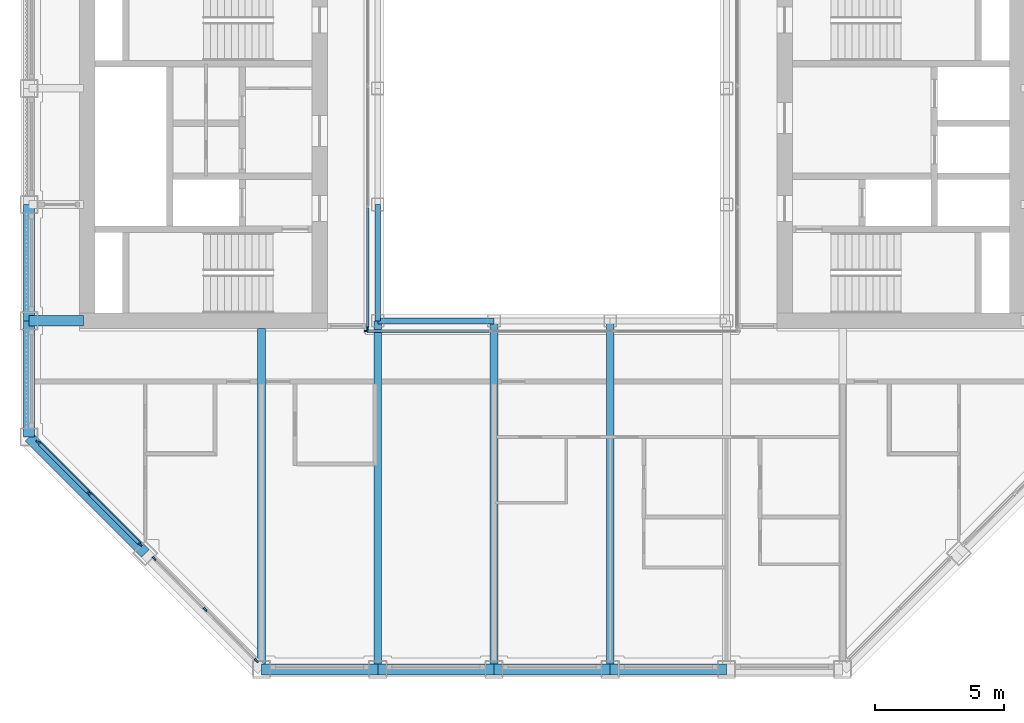
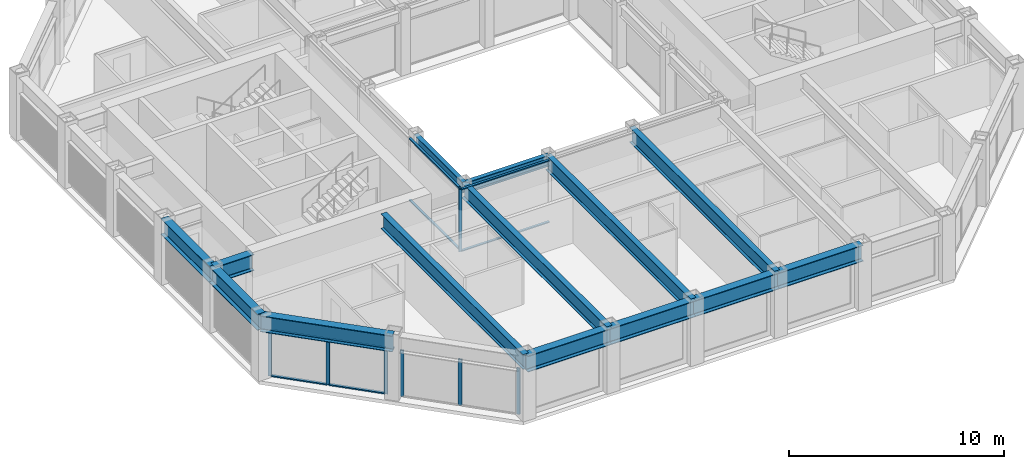
# One storey, part 2 of 17: 16 members, 14 beams, 4 elements without a shape of their own.
"""IFC4 building model written with IfcOpenShell, lengths in metres."""

from ifc_helpers import new_model, si_unit, direction, frame, origin, origin_2d, place, context, subcontext, project, spatial, rectangle, i_section, extrude, material, material_profile, profile_set, type_object, element, aggregate, save


model = new_model("IFC4")

# Units and contexts
model_context = context("Model", 3, precision=1e-05, world=origin(), true_north=direction((0.0, 1.0)))
body_context = subcontext(model_context, "Body", "Model", "MODEL_VIEW")
ifc_project = project(units=[si_unit("LENGTHUNIT", "METRE"), si_unit("AREAUNIT", "SQUARE_METRE"), si_unit("VOLUMEUNIT", "CUBIC_METRE"), si_unit("PLANEANGLEUNIT", "RADIAN"), si_unit("MASSUNIT", "GRAM", prefix="KILO")], contexts=[model_context])

# Site, building, storey
site_placement = place(None, origin())
site = spatial("IfcSite", under=ifc_project, at=site_placement, CompositionType="ELEMENT")
building_placement = place(site_placement, origin())
building = spatial("IfcBuilding", under=site, at=building_placement, Name="Msasa Ring Tower", CompositionType="ELEMENT")
storey_placement = place(building_placement, frame((0.0, 0.0, 234.550048828125)))
storey = spatial("IfcBuildingStorey", under=building, at=storey_placement, Name="L61", CompositionType="ELEMENT", Elevation=234.550048828125)

# Curtain wall, members
ifc_material_1 = material(Name="Aluminium curtain wall with clear glass", Category="aluminium")
curtain_wall_type_1 = type_object("IfcCurtainWallType", Name="CW-C CHAMFER CORNER CURTAIN WALL", PredefinedType="NOTDEFINED", material=ifc_material_1)
curtain_wall_1_placement = place(storey_placement, origin())
curtain_wall_1 = element("IfcCurtainWall", 1, at=curtain_wall_1_placement, inside=storey, type_object=curtain_wall_type_1, Name="Chamfer corner curtain wall SW L61", PredefinedType="NOTDEFINED")
ifc_material_2 = material(Name="Aluminium mullion", Category="aluminium")
ifc_material_profile_1 = material_profile(ifc_material_2, rectangle(XDim=0.06494140625, YDim=0.179931640625, at=origin_2d()), Name="AL 65x180")
ifc_profile_set_1 = profile_set([ifc_material_profile_1], Name="Aluminium mullion")
member_type_1 = type_object("IfcMemberType", Name="CW-C MULLION 65x180", PredefinedType="MULLION", material=ifc_profile_set_1)
member_1_placement = place(storey_placement, frame((-19.9052734375, -11.453369140625, 0.0), z_axis=(0.0, 0.0, 1.0), x_axis=(0.707106781187, 0.707106781187, 0.0)))
member_1 = element("IfcMember", 2, at=member_1_placement, type_object=member_type_1, Name="CW-C mullion 1", PredefinedType="MULLION", context=body_context, shape_type="SweptSolid", body=[
    extrude(rectangle(XDim=0.06494140625, YDim=0.179931640625, at=origin_2d()), origin(), (0.0, 0.0, 1.0), 2.62890625),
])
member_2_placement = place(storey_placement, frame((-17.92919921875, -13.42919921875, 0.0), z_axis=(0.0, 0.0, 1.0), x_axis=(0.707106781187, 0.707106781187, 0.0)))
member_2 = element("IfcMember", 3, at=member_2_placement, type_object=member_type_1, Name="CW-C mullion 2", PredefinedType="MULLION", context=body_context, shape_type="SweptSolid", body=[
    extrude(rectangle(XDim=0.06494140625, YDim=0.179931640625, at=origin_2d()), origin(), (0.0, 0.0, 1.0), 2.62890625),
])
member_3_placement = place(storey_placement, frame((-15.953369140625, -15.4052734375, 0.0), z_axis=(0.0, 0.0, 1.0), x_axis=(0.707106781187, 0.707106781187, 0.0)))
member_3 = element("IfcMember", 4, at=member_3_placement, type_object=member_type_1, Name="CW-C mullion 3", PredefinedType="MULLION", context=body_context, shape_type="SweptSolid", body=[
    extrude(rectangle(XDim=0.06494140625, YDim=0.179931640625, at=origin_2d()), origin(), (0.0, 0.0, 1.0), 2.62890625),
])

curtain_wall_2_placement = place(storey_placement, origin())
curtain_wall_2 = element("IfcCurtainWall", 5, at=curtain_wall_2_placement, inside=storey, type_object=curtain_wall_type_1, Name="Chamfer corner curtain wall SW L61", PredefinedType="NOTDEFINED")
member_4_placement = place(storey_placement, frame((-15.4052734375, -15.953369140625, 0.0), z_axis=(0.0, 0.0, 1.0), x_axis=(0.707106781187, 0.707106781187, 0.0)))
member_4 = element("IfcMember", 6, at=member_4_placement, type_object=member_type_1, Name="CW-C mullion 1", PredefinedType="MULLION", context=body_context, shape_type="SweptSolid", body=[
    extrude(rectangle(XDim=0.06494140625, YDim=0.179931640625, at=origin_2d()), origin(), (0.0, 0.0, 1.0), 2.62890625),
])
member_5_placement = place(storey_placement, frame((-13.42919921875, -17.92919921875, 0.0), z_axis=(0.0, 0.0, 1.0), x_axis=(0.707106781187, 0.707106781187, 0.0)))
member_5 = element("IfcMember", 7, at=member_5_placement, type_object=member_type_1, Name="CW-C mullion 2", PredefinedType="MULLION", context=body_context, shape_type="SweptSolid", body=[
    extrude(rectangle(XDim=0.06494140625, YDim=0.179931640625, at=origin_2d()), origin(), (0.0, 0.0, 1.0), 2.62890625),
])
member_6_placement = place(storey_placement, frame((-11.453369140625, -19.9052734375, 0.0), z_axis=(0.0, 0.0, 1.0), x_axis=(0.707106781187, 0.707106781187, 0.0)))
member_6 = element("IfcMember", 8, at=member_6_placement, type_object=member_type_1, Name="CW-C mullion 3", PredefinedType="MULLION", context=body_context, shape_type="SweptSolid", body=[
    extrude(rectangle(XDim=0.06494140625, YDim=0.179931640625, at=origin_2d()), origin(), (0.0, 0.0, 1.0), 2.62890625),
])
aggregate(curtain_wall_2, [member_4, member_5, member_6])

# Member
ifc_material_3 = material(Name="Aluminium transom", Category="aluminium")
ifc_material_profile_2 = material_profile(ifc_material_3, rectangle(XDim=0.139892578125, YDim=0.06494140625, at=origin_2d()), Name="AL 65x140")
ifc_profile_set_2 = profile_set([ifc_material_profile_2], Name="Aluminium transom")
member_type_2 = type_object("IfcMemberType", Name="CW-C TRANSOM 65x140", PredefinedType="USERDEFINED", material=ifc_profile_set_2)
member_7_placement = place(storey_placement, frame((-19.88232421875, -11.476318359375, 0.032470703125), z_axis=(0.707106781187, -0.707106781187, 0.0), x_axis=(0.707106781187, 0.707106781187, 0.0)))
member_7 = element("IfcMember", 9, at=member_7_placement, type_object=member_type_2, Name="CW-C transom 1.1", ObjectType="TRANSOM", PredefinedType="USERDEFINED", context=body_context, shape_type="SweptSolid", body=[
    extrude(rectangle(XDim=0.139892578125, YDim=0.06494140625, at=origin_2d()), origin(), (0.0, 0.0, 1.0), 2.729248046875),
])

member_8_placement = place(storey_placement, frame((-19.88232421875, -11.476318359375, 2.596435546875), z_axis=(0.707106781187, -0.707106781187, 0.0), x_axis=(0.707106781187, 0.707106781187, 0.0)))
member_8 = element("IfcMember", 10, at=member_8_placement, type_object=member_type_2, Name="CW-C transom 1.2", ObjectType="TRANSOM", PredefinedType="USERDEFINED", context=body_context, shape_type="SweptSolid", body=[
    extrude(rectangle(XDim=0.139892578125, YDim=0.06494140625, at=origin_2d()), origin(), (0.0, 0.0, 1.0), 2.729248046875),
])

member_9_placement = place(storey_placement, frame((-17.90625, -13.452392578125, 0.032470703125), z_axis=(0.707106781187, -0.707106781187, 0.0), x_axis=(0.707106781187, 0.707106781187, 0.0)))
member_9 = element("IfcMember", 11, at=member_9_placement, type_object=member_type_2, Name="CW-C transom 2.1", ObjectType="TRANSOM", PredefinedType="USERDEFINED", context=body_context, shape_type="SweptSolid", body=[
    extrude(rectangle(XDim=0.139892578125, YDim=0.06494140625, at=origin_2d()), origin(), (0.0, 0.0, 1.0), 2.729248046875),
])

member_10_placement = place(storey_placement, frame((-17.90625, -13.452392578125, 2.596435546875), z_axis=(0.707106781187, -0.707106781187, 0.0), x_axis=(0.707106781187, 0.707106781187, 0.0)))
member_10 = element("IfcMember", 12, at=member_10_placement, type_object=member_type_2, Name="CW-C transom 2.2", ObjectType="TRANSOM", PredefinedType="USERDEFINED", context=body_context, shape_type="SweptSolid", body=[
    extrude(rectangle(XDim=0.139892578125, YDim=0.06494140625, at=origin_2d()), origin(), (0.0, 0.0, 1.0), 2.729248046875),
])

aggregate(curtain_wall_1, [member_1, member_2, member_3, member_7, member_8, member_9, member_10])

# Curtain wall, member
ifc_material_4 = material(Name="Aluminium curtain wall with clear glass", Category="aluminium")
curtain_wall_type_2 = type_object("IfcCurtainWallType", Name="CW-W LIGHT WELL CURTAIN WALL", PredefinedType="NOTDEFINED", material=ifc_material_4)
curtain_wall_3_placement = place(storey_placement, origin())
curtain_wall_3 = element("IfcCurtainWall", 13, at=curtain_wall_3_placement, inside=storey, type_object=curtain_wall_type_2, Name="Light well curtain wall S L61", PredefinedType="NOTDEFINED")
ifc_material_5 = material(Name="Aluminium mullion", Category="aluminium")
ifc_material_profile_3 = material_profile(ifc_material_5, rectangle(XDim=0.06005859375, YDim=0.159912109375, at=origin_2d()), Name="AL 60x160")
ifc_profile_set_3 = profile_set([ifc_material_profile_3], Name="Aluminium mullion")
member_type_3 = type_object("IfcMemberType", Name="CW-W MULLION 60x160", PredefinedType="MULLION", material=ifc_profile_set_3)
member_11_placement = place(storey_placement, frame((-7.199951171875, -7.14990234375, 0.0), z_axis=(0.0, 0.0, 1.0), x_axis=(0.0, 1.0, 0.0)))
member_11 = element("IfcMember", 14, at=member_11_placement, type_object=member_type_3, Name="CW-W mullion 1", PredefinedType="MULLION", context=body_context, shape_type="SweptSolid", body=[
    extrude(rectangle(XDim=0.06005859375, YDim=0.159912109375, at=origin_2d()), origin(), (0.0, 0.0, 1.0), 3.550048828125),
])

curtain_wall_4_placement = place(storey_placement, origin())
curtain_wall_4 = element("IfcCurtainWall", 15, at=curtain_wall_4_placement, inside=storey, type_object=curtain_wall_type_2, Name="Light well curtain wall W L61", PredefinedType="NOTDEFINED")
member_12_placement = place(storey_placement, frame((-7.14990234375, -7.0400390625, 0.0), z_axis=(0.0, 0.0, 1.0), x_axis=(-1.0, 0.0, 0.0)))
member_12 = element("IfcMember", 16, at=member_12_placement, type_object=member_type_3, Name="CW-W mullion 1", PredefinedType="MULLION", context=body_context, shape_type="SweptSolid", body=[
    extrude(rectangle(XDim=0.06005859375, YDim=0.159912109375, at=origin_2d()), origin(), (0.0, 0.0, 1.0), 3.550048828125),
])

# Member
ifc_material_6 = material(Name="Aluminium transom", Category="aluminium")
ifc_material_profile_4 = material_profile(ifc_material_6, rectangle(XDim=0.1201171875, YDim=0.06005859375, at=origin_2d()), Name="AL 60x120")
ifc_profile_set_4 = profile_set([ifc_material_profile_4], Name="Aluminium transom")
member_type_4 = type_object("IfcMemberType", Name="CW-W TRANSOM 60x120", PredefinedType="USERDEFINED", material=ifc_profile_set_4)
member_13_placement = place(storey_placement, frame((-7.169921875, -7.14990234375, 0.030029296875), z_axis=(1.0, 0.0, 0.0), x_axis=(0.0, 1.0, 0.0)))
member_13 = element("IfcMember", 17, at=member_13_placement, type_object=member_type_4, Name="CW-W transom 1.1", ObjectType="TRANSOM", PredefinedType="USERDEFINED", context=body_context, shape_type="SweptSolid", body=[
    extrude(rectangle(XDim=0.1201171875, YDim=0.06005859375, at=origin_2d()), origin(), (0.0, 0.0, 1.0), 4.72998046875),
])

member_14_placement = place(storey_placement, frame((-7.169921875, -7.14990234375, 3.52001953125), z_axis=(1.0, 0.0, 0.0), x_axis=(0.0, 1.0, 0.0)))
member_14 = element("IfcMember", 18, at=member_14_placement, type_object=member_type_4, Name="CW-W transom 1.2", ObjectType="TRANSOM", PredefinedType="USERDEFINED", context=body_context, shape_type="SweptSolid", body=[
    extrude(rectangle(XDim=0.1201171875, YDim=0.06005859375, at=origin_2d()), origin(), (0.0, 0.0, 1.0), 4.72998046875),
])

aggregate(curtain_wall_3, [member_11, member_13, member_14])

member_15_placement = place(storey_placement, frame((-7.14990234375, -7.010009765625, 0.030029296875), z_axis=(0.0, 1.0, 0.0), x_axis=(-1.0, 0.0, 0.0)))
member_15 = element("IfcMember", 19, at=member_15_placement, type_object=member_type_4, Name="CW-W transom 1.1", ObjectType="TRANSOM", PredefinedType="USERDEFINED", context=body_context, shape_type="SweptSolid", body=[
    extrude(rectangle(XDim=0.1201171875, YDim=0.06005859375, at=origin_2d()), origin(), (0.0, 0.0, 1.0), 4.623291015625),
])

member_16_placement = place(storey_placement, frame((-7.14990234375, -7.010009765625, 3.52001953125), z_axis=(0.0, 1.0, 0.0), x_axis=(-1.0, 0.0, 0.0)))
member_16 = element("IfcMember", 20, at=member_16_placement, type_object=member_type_4, Name="CW-W transom 1.2", ObjectType="TRANSOM", PredefinedType="USERDEFINED", context=body_context, shape_type="SweptSolid", body=[
    extrude(rectangle(XDim=0.1201171875, YDim=0.06005859375, at=origin_2d()), origin(), (0.0, 0.0, 1.0), 4.623291015625),
])

aggregate(curtain_wall_4, [member_12, member_15, member_16])

# Beams
ifc_material_7 = material(Name="Steel S355", Category="steel")
ifc_material_profile_5 = material_profile(ifc_material_7, i_section(OverallWidth=0.293701171875, OverallDepth=0.850830078125, WebThickness=0.01611328125, FlangeThickness=0.02685546875, FilletRadius=0.017822265625, at=origin_2d()), Name="UB 838x292x226")
ifc_profile_set_5 = profile_set([ifc_material_profile_5], Name="Steel S355")
beam_type_1 = type_object("IfcBeamType", Name="FB5 UB 838x292x226", PredefinedType="BEAM", material=ifc_profile_set_5)
beam_1_placement = place(storey_placement, frame((-11.25, -20.25, 3.12451171875), z_axis=(0.0, 1.0, 0.0), x_axis=(-1.0, 0.0, 0.0)))
element("IfcBeam", 21, at=beam_1_placement, inside=storey, type_object=beam_type_1, Name="Floor beam S-11.25 under L62", PredefinedType="BEAM", context=body_context, shape_type="SweptSolid", body=[
    extrude(i_section(OverallWidth=0.293701171875, OverallDepth=0.850830078125, WebThickness=0.01611328125, FlangeThickness=0.02685546875, FilletRadius=0.017822265625, at=origin_2d()), origin(), (0.0, 0.0, 1.0), 13.199951171875),
])
for number, where, z_axis, x_axis, name in (
    (22, (-6.75, -20.25, 3.12451171875), (0.0, 1.0, 0.0), (-1.0, 0.0, 0.0), "Floor beam S-6.75 under L62"),
    (23, (-2.25, -20.25, 3.12451171875), (0.0, 1.0, 0.0), (-1.0, 0.0, 0.0), "Floor beam S-2.25 under L62"),
    (24, (2.25, -20.25, 3.12451171875), (0.0, 1.0, 0.0), (-1.0, 0.0, 0.0), "Floor beam S+2.25 under L62"),
):
    element("IfcBeam", number, at=place(storey_placement, frame(where, z_axis=z_axis, x_axis=x_axis)), inside=storey, type_object=beam_type_1, Name=name, PredefinedType="BEAM", context=body_context, shape_type="SweptSolid", body=[
        extrude(i_section(OverallWidth=0.293701171875, OverallDepth=0.850830078125, WebThickness=0.01611328125, FlangeThickness=0.02685546875, FilletRadius=0.017822265625, at=origin_2d()), origin(), (0.0, 0.0, 1.0), 13.5),
    ])
ifc_material_8 = material(Name="Steel S355", Category="steel")
ifc_material_profile_6 = material_profile(ifc_material_8, i_section(OverallWidth=0.42041015625, OverallDepth=0.9208984375, WebThickness=0.021484375, FlangeThickness=0.03662109375, FilletRadius=0.024169921875, at=origin_2d()), Name="UB 914x419x388")
ifc_profile_set_6 = profile_set([ifc_material_profile_6], Name="Steel S355")
beam_type_2 = type_object("IfcBeamType", Name="GB1 UB 914x419x388", PredefinedType="BEAM", material=ifc_profile_set_6)
beam_2_placement = place(storey_placement, frame((-18.14990234375, -6.75, 3.08935546875), z_axis=(-1.0, 0.0, 0.0), x_axis=(0.0, -1.0, 0.0)))
element("IfcBeam", 25, at=beam_2_placement, inside=storey, type_object=beam_type_2, Name="Girder W -6.75 under L62", PredefinedType="BEAM", context=body_context, shape_type="SweptSolid", body=[
    extrude(i_section(OverallWidth=0.42041015625, OverallDepth=0.9208984375, WebThickness=0.021484375, FlangeThickness=0.03662109375, FilletRadius=0.024169921875, at=origin_2d()), origin(), (0.0, 0.0, 1.0), 2.10009765625),
])
ifc_material_9 = material(Name="Steel S355", Category="steel")
ifc_material_profile_7 = material_profile(ifc_material_9, i_section(OverallWidth=0.230224609375, OverallDepth=0.6171875, WebThickness=0.01318359375, FlangeThickness=0.022216796875, FilletRadius=0.0126953125, at=origin_2d()), Name="UB 610x229x140")
ifc_profile_set_7 = profile_set([ifc_material_profile_7], Name="Steel S355")
beam_type_3 = type_object("IfcBeamType", Name="RB1 UB 610x229x140", PredefinedType="BEAM", material=ifc_profile_set_7)
for number, where, z_axis, x_axis, name in (
    (26, (-6.75, -2.25, 3.241455078125), (0.0, -1.0, 0.0), (1.0, 0.0, 0.0), "Inner ring beam IR-6.75-2.25 under L62"),
    (27, (-6.75, -6.75, 3.241455078125), (1.0, 0.0, 0.0), (0.0, 1.0, 0.0), "Inner ring beam IR-6.75-6.75 under L62"),
):
    element("IfcBeam", number, at=place(storey_placement, frame(where, z_axis=z_axis, x_axis=x_axis)), inside=storey, type_object=beam_type_3, Name=name, PredefinedType="BEAM", context=body_context, shape_type="SweptSolid", body=[
        extrude(i_section(OverallWidth=0.230224609375, OverallDepth=0.6171875, WebThickness=0.01318359375, FlangeThickness=0.022216796875, FilletRadius=0.0126953125, at=origin_2d()), origin(), (0.0, 0.0, 1.0), 4.5),
    ])
ifc_material_10 = material(Name="Steel S355", Category="steel")
ifc_material_profile_8 = material_profile(ifc_material_10, i_section(OverallWidth=0.42041015625, OverallDepth=0.9208984375, WebThickness=0.021484375, FlangeThickness=0.03662109375, FilletRadius=0.024169921875, at=origin_2d()), Name="UB 914x419x388")
ifc_profile_set_8 = profile_set([ifc_material_profile_8], Name="Steel S355")
beam_type_4 = type_object("IfcBeamType", Name="SB1 UB 914x419x388", PredefinedType="SPANDREL", material=ifc_profile_set_8)
for number, where, z_axis, x_axis, name in (
    (28, (-20.25, -2.25, 3.08935546875), (0.0, -1.0, 0.0), (1.0, 0.0, 0.0), "Spandrel W-2.25 to W-6.75 under L62"),
    (29, (-20.25, -6.75, 3.08935546875), (0.0, -1.0, 0.0), (1.0, 0.0, 0.0), "Spandrel W-6.75 to W-11.25 under L62"),
):
    element("IfcBeam", number, at=place(storey_placement, frame(where, z_axis=z_axis, x_axis=x_axis)), inside=storey, type_object=beam_type_4, Name=name, PredefinedType="SPANDREL", context=body_context, shape_type="SweptSolid", body=[
        extrude(i_section(OverallWidth=0.42041015625, OverallDepth=0.9208984375, WebThickness=0.021484375, FlangeThickness=0.03662109375, FilletRadius=0.024169921875, at=origin_2d()), origin(), (0.0, 0.0, 1.0), 4.5),
    ])
beam_3_placement = place(storey_placement, frame((-20.25, -11.25, 3.08935546875), z_axis=(0.707106781187, -0.707106781187, 0.0), x_axis=(0.707106781187, 0.707106781187, 0.0)))
element("IfcBeam", 30, at=beam_3_placement, inside=storey, type_object=beam_type_4, Name="Spandrel W-11.25 to SW under L62", PredefinedType="SPANDREL", context=body_context, shape_type="SweptSolid", body=[
    extrude(i_section(OverallWidth=0.42041015625, OverallDepth=0.9208984375, WebThickness=0.021484375, FlangeThickness=0.03662109375, FilletRadius=0.024169921875, at=origin_2d()), origin(), (0.0, 0.0, 1.0), 6.364013671875),
])
for number, where, z_axis, x_axis, name in (
    (31, (-11.25, -20.25, 3.08935546875), (1.0, 0.0, 0.0), (0.0, 1.0, 0.0), "Spandrel S-11.25 to S-6.75 under L62"),
    (32, (-6.75, -20.25, 3.08935546875), (1.0, 0.0, 0.0), (0.0, 1.0, 0.0), "Spandrel S-6.75 to S-2.25 under L62"),
    (33, (-2.25, -20.25, 3.08935546875), (1.0, 0.0, 0.0), (0.0, 1.0, 0.0), "Spandrel S-2.25 to S+2.25 under L62"),
    (34, (2.25, -20.25, 3.08935546875), (1.0, 0.0, 0.0), (0.0, 1.0, 0.0), "Spandrel S+2.25 to S+6.75 under L62"),
):
    element("IfcBeam", number, at=place(storey_placement, frame(where, z_axis=z_axis, x_axis=x_axis)), inside=storey, type_object=beam_type_4, Name=name, PredefinedType="SPANDREL", context=body_context, shape_type="SweptSolid", body=[
        extrude(i_section(OverallWidth=0.42041015625, OverallDepth=0.9208984375, WebThickness=0.021484375, FlangeThickness=0.03662109375, FilletRadius=0.024169921875, at=origin_2d()), origin(), (0.0, 0.0, 1.0), 4.5),
    ])

save(model, "model.ifc")
